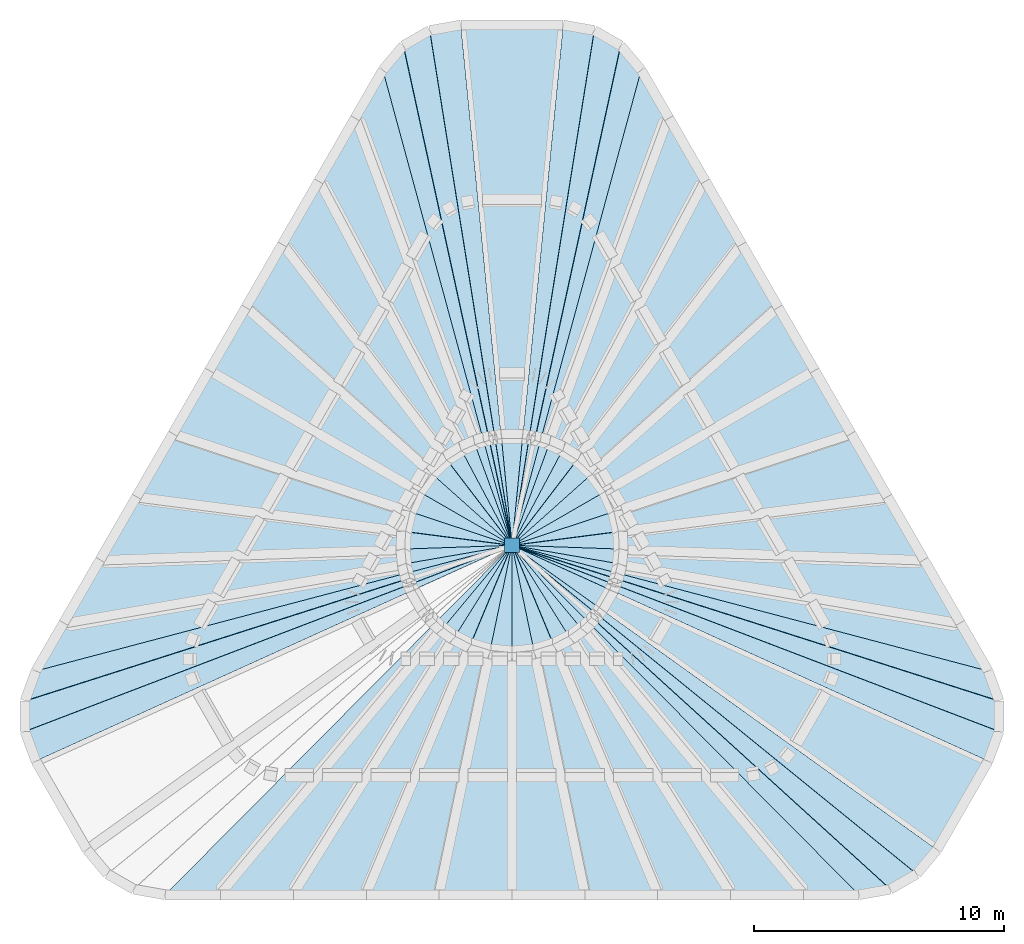
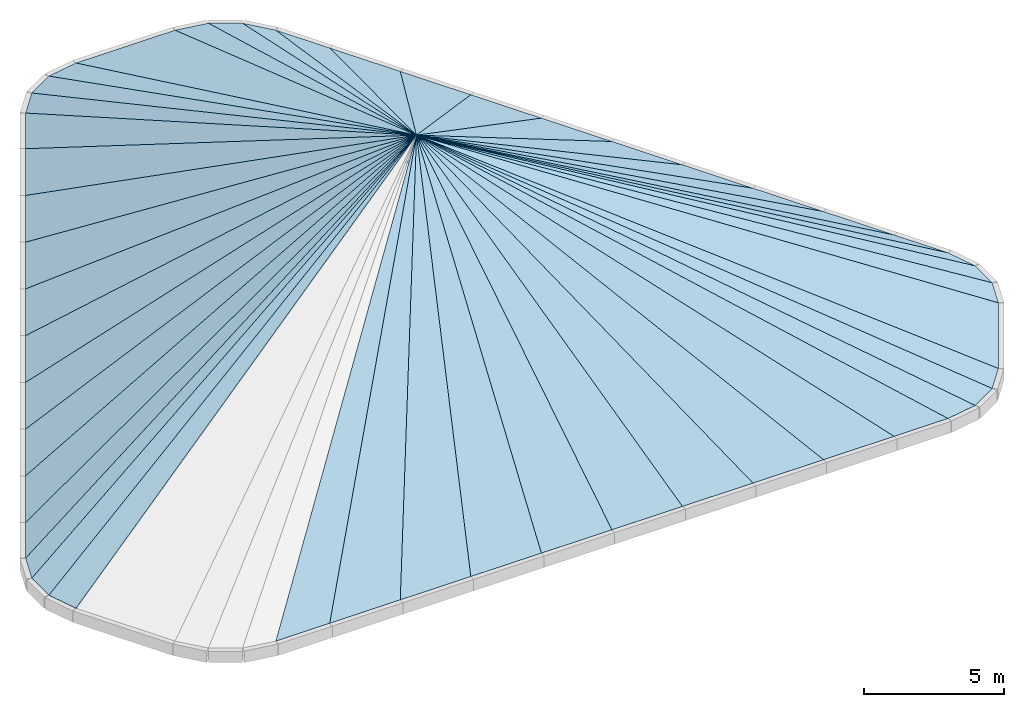
# One storey, part 5 of 5: 47 plates, 1 discrete accessory.
"""IFC4 building model written with IfcOpenShell, lengths in metres."""

import ifcopenshell
import ifcopenshell.guid

model = None  # the IFC model being written
_history = None  # IfcOwnerHistory: only IFC2X3 demands one
_inside = {}  # id of a spatial element -> (the spatial element, [elements in it])
_under = {}  # id of a project, library or spatial element -> (it, [spatial elements below it])
_declared = {}  # id of a project -> (the project, [libraries it declares])
_typed = {}  # id of a type object -> (the type object, [elements of that type])
_made_of = {}  # id of a material, layer set ... -> (it, [elements and type objects made of it])


def new_model(schema):
    """Start an empty IFC model of exactly this schema.

    Asked for "IFC4X3", IfcOpenShell would pick the latest addendum, in which some entities
    have other attributes; the version numbers below select the first issue.
    IFC2X3 requires an IfcOwnerHistory on every rooted entity: one is made here for all.
    """
    global model, _history
    if schema == "IFC4X3":
        model = ifcopenshell.file(schema_version=(4, 3, 0, 0))
    else:
        model = ifcopenshell.file(schema=schema)
    _inside.clear()
    _under.clear()
    _declared.clear()
    _typed.clear()
    _made_of.clear()
    _history = None
    if model.schema == "IFC2X3":
        org = make("IfcOrganization", Name="unknown")
        user = make(
            "IfcPersonAndOrganization",
            ThePerson=make("IfcPerson", FamilyName="unknown"),
            TheOrganization=org,
        )
        app = make(
            "IfcApplication",
            ApplicationDeveloper=org,
            Version="unknown",
            ApplicationFullName="unknown",
            ApplicationIdentifier="unknown",
        )
        _history = make(
            "IfcOwnerHistory",
            OwningUser=user,
            OwningApplication=app,
            ChangeAction="ADDED",
            CreationDate=0,
        )
    return model


def make(cls, **values):
    """One entity of the class cls with the attributes given. An attribute that is None is left unset."""
    return model.create_entity(
        cls, **{name: value for name, value in values.items() if value is not None}
    )


def rooted(cls, **values):
    """An entity with a GlobalId (a new one), such as an element, a storey or a relation."""
    return make(cls, GlobalId=ifcopenshell.guid.new(), OwnerHistory=_history, **values)


def si_unit(unit_type, name, prefix=None):
    """IfcSIUnit, for example si_unit("LENGTHUNIT", "METRE", prefix="MILLI")."""
    return make("IfcSIUnit", UnitType=unit_type, Prefix=prefix, Name=name)


def assignment(units):
    """IfcUnitAssignment: the units of a project."""
    return None if units is None else make("IfcUnitAssignment", Units=units)


def point(xyz):
    """IfcCartesianPoint."""
    return None if xyz is None else make("IfcCartesianPoint", Coordinates=xyz)


def direction(xyz):
    """IfcDirection."""
    return None if xyz is None else make("IfcDirection", DirectionRatios=xyz)


def frame(location, z_axis=None, x_axis=None):
    """IfcAxis2Placement3D, a coordinate frame: its origin and axes. An axis left out is left unset."""
    return make(
        "IfcAxis2Placement3D",
        Location=point(location),
        Axis=direction(z_axis),
        RefDirection=direction(x_axis),
    )


def frame_2d(location, x_axis=None):
    """IfcAxis2Placement2D, a coordinate frame in the plane: its origin and x axis."""
    return make(
        "IfcAxis2Placement2D", Location=point(location), RefDirection=direction(x_axis)
    )


def origin():
    """The frame at (0, 0, 0) with its axes left unset."""
    return frame((0.0, 0.0, 0.0))


def origin_2d():
    """The frame at (0, 0) in the plane with its x axis left unset."""
    return frame_2d((0.0, 0.0))


def place(relative_to, where):
    """IfcLocalPlacement: puts the frame where relative to a parent placement (None: the world)."""
    return make(
        "IfcLocalPlacement", PlacementRelTo=relative_to, RelativePlacement=where
    )


def context(
    kind, dimensions, precision=None, world=None, true_north=None, identifier=None
):
    """IfcGeometricRepresentationContext, for example the 3D "Model" context."""
    return make(
        "IfcGeometricRepresentationContext",
        ContextIdentifier=identifier,
        ContextType=kind,
        CoordinateSpaceDimension=dimensions,
        Precision=precision,
        WorldCoordinateSystem=world,
        TrueNorth=true_north,
    )


def subcontext(parent, identifier, kind, view, scale=None):
    """IfcGeometricRepresentationSubContext, for example "Body" below "Model"."""
    return make(
        "IfcGeometricRepresentationSubContext",
        ContextIdentifier=identifier,
        ContextType=kind,
        ParentContext=parent,
        TargetScale=scale,
        TargetView=view,
    )


def project(units=None, contexts=None):
    """IfcProject with its units and contexts."""
    return rooted(
        "IfcProject",
        Name="project",
        RepresentationContexts=contexts,
        UnitsInContext=assignment(units),
    )


def spatial(cls, under=None, at=None, **own):
    """A site, building, storey or space (cls), placed at a placement, below another one or the project."""
    s = rooted(cls, ObjectPlacement=at, **own)
    if under is not None:
        _under.setdefault(under.id(), (under, []))[1].append(s)
    return s


def polyline(points):
    """IfcPolyline through the points."""
    return make("IfcPolyline", Points=[point(p) for p in points])


def profile(cls, at=None, kind="AREA", **sizes):
    """A parametric profile (cls). Its sizes go by their IFC names, for example OverallWidth=200.0."""
    return make(cls, ProfileType=kind, Position=at, **sizes)


def rectangle(**sizes):
    """IfcRectangleProfileDef."""
    return profile("IfcRectangleProfileDef", **sizes)


def outline(outer, holes=None, kind="AREA"):
    """IfcArbitraryClosedProfileDef: a profile drawn as a closed curve; with holes, ...WithVoids."""
    if holes is None:
        return make("IfcArbitraryClosedProfileDef", ProfileType=kind, OuterCurve=outer)
    return make(
        "IfcArbitraryProfileDefWithVoids",
        ProfileType=kind,
        OuterCurve=outer,
        InnerCurves=holes,
    )


def extrude(swept, where, along, depth):
    """IfcExtrudedAreaSolid: the profile swept, set in the frame where, extruded along a direction by depth."""
    return make(
        "IfcExtrudedAreaSolid",
        SweptArea=swept,
        Position=where,
        ExtrudedDirection=direction(along),
        Depth=depth,
    )


def shape(context_of_items, identifier, shape_type, items):
    """IfcShapeRepresentation: the items that make up one representation, for example the "Body"."""
    return make(
        "IfcShapeRepresentation",
        ContextOfItems=context_of_items,
        RepresentationIdentifier=identifier,
        RepresentationType=shape_type,
        Items=items,
    )


def material(Name=None, Category=None):
    """IfcMaterial."""
    return make("IfcMaterial", Name=Name, Category=Category)


def layer(
    of_material, thickness, ventilated=None, Name=None, Category=None, Priority=None
):
    """IfcMaterialLayer: one layer of a wall or slab, of a material (None: an air gap)."""
    return make(
        "IfcMaterialLayer",
        Material=of_material,
        LayerThickness=thickness,
        IsVentilated=ventilated,
        Name=Name,
        Category=Category,
        Priority=Priority,
    )


def layer_set(layers, Name=None):
    """IfcMaterialLayerSet."""
    return make("IfcMaterialLayerSet", MaterialLayers=layers, LayerSetName=Name)


def made_of(thing, what):
    """Note that an element or type object is made of a material, layer set ...; save() writes the relation."""
    if what is not None:
        _made_of.setdefault(what.id(), (what, []))[1].append(thing)
    return thing


def type_object(cls, material=None, **own):
    """A type object (cls), such as IfcWallType, which elements share."""
    return made_of(rooted(cls, **own), material)


def element(
    cls,
    number,
    at=None,
    inside=None,
    cuts=None,
    type_object=None,
    material=None,
    context=None,
    identifier="Body",
    shape_type=None,
    held_by="IfcProductDefinitionShape",
    body=None,
    shapes=None,
    **own,
):
    """One element of the class cls, such as IfcWall. Its Tag is "e" and its number.

    at: its placement. inside: the storey or other place that contains it. cuts: it is an
    opening in that element (IfcRelVoidsElement). A single representation is given by context,
    identifier, shape_type and body (its items); several are given by shapes. held_by: the class
    of the entity that holds the representations. save() writes the other relations.
    """
    e = rooted(cls, Tag="e%d" % number, ObjectPlacement=at, **own)
    if body is not None:
        shapes = [shape(context, identifier, shape_type, body)]
    if shapes is not None:
        e.Representation = make(held_by, Representations=shapes)
    if inside is not None:
        _inside.setdefault(inside.id(), (inside, []))[1].append(e)
    if cuts is not None:
        rooted(
            "IfcRelVoidsElement", RelatingBuildingElement=cuts, RelatedOpeningElement=e
        )
    if type_object is not None:
        _typed.setdefault(type_object.id(), (type_object, []))[1].append(e)
    return made_of(e, material)


def aggregate(whole, parts):
    """IfcRelAggregates: a whole, such as a stair, and the parts it consists of."""
    return rooted("IfcRelAggregates", RelatingObject=whole, RelatedObjects=parts)


def save(model, path):
    """Write the relations noted so far, then the file.

    IfcRelAggregates (storeys below a building ...), IfcRelContainedInSpatialStructure (elements
    in a storey), IfcRelDefinesByType, IfcRelAssociatesMaterial and IfcRelDeclares: one each for
    every whole, place, type object, material and project.
    """
    for whole, parts in _under.values():
        aggregate(whole, parts)
    for where, things in _inside.values():
        rooted(
            "IfcRelContainedInSpatialStructure",
            RelatedElements=things,
            RelatingStructure=where,
        )
    for kind, things in _typed.values():
        rooted("IfcRelDefinesByType", RelatedObjects=things, RelatingType=kind)
    for what, things in _made_of.values():
        rooted("IfcRelAssociatesMaterial", RelatedObjects=things, RelatingMaterial=what)
    for by, libraries in _declared.values():
        rooted("IfcRelDeclares", RelatingContext=by, RelatedDefinitions=libraries)
    model.write(path)


model = new_model("IFC4")

# Units and contexts
model_context = context("Model", 3, precision=1e-05, world=origin(), true_north=direction((0.0, 1.0)))
body_context = subcontext(model_context, "Body", "Model", "MODEL_VIEW")
ifc_project = project(units=[si_unit("LENGTHUNIT", "METRE"), si_unit("AREAUNIT", "SQUARE_METRE"), si_unit("VOLUMEUNIT", "CUBIC_METRE"), si_unit("PLANEANGLEUNIT", "RADIAN"), si_unit("MASSUNIT", "GRAM", prefix="KILO")], contexts=[model_context])

# Site, building, storey
site_placement = place(None, origin())
site = spatial("IfcSite", under=ifc_project, at=site_placement, CompositionType="ELEMENT")
building_placement = place(site_placement, origin())
building = spatial("IfcBuilding", under=site, at=building_placement, Name="Apuvela Tower Hotel", CompositionType="ELEMENT")
storey_placement = place(building_placement, frame((0.0, 0.0, 371.300048828125)))
storey = spatial("IfcBuildingStorey", under=building, at=storey_placement, Name="R-7 ROOF", CompositionType="ELEMENT", Elevation=371.300048828125)

# Plates
ifc_material_1 = material(Name="Glass, low-iron laminated insulated glazing unit, ceramic fritted", Category="glass")
ifc_layer_1 = layer(ifc_material_1, 0.050048828125)
ifc_layer_set_1 = layer_set([ifc_layer_1], Name="ENV-ROOF-GLAZING-50")
plate_type = type_object("IfcPlateType", Name="ENV-ROOF-GLAZING-50", PredefinedType="SHEET", material=ifc_layer_set_1)
plate_1_placement = place(storey_placement, frame((4.3505859375, 19.976318359375, 0.25), z_axis=(0.204939126535, 0.35491059303, 0.912161403135), x_axis=(-0.865992225662, 0.50005746179, 0.0)))
element("IfcPlate", 1, at=plate_1_placement, inside=storey, type_object=plate_type, Name="Crown roof glazing 1", PredefinedType="SHEET", context=body_context, shape_type="SweptSolid", body=[
    extrude(outline(polyline([(0.0, 0.0), (1.219586403263678, 5.551115123125783e-17), (-6.221733455752627, 21.350255876692533), (0.0, 0.0)])), origin(), (0.0, 0.0, -1.0), 0.050048828125),
])
plate_2_placement = place(storey_placement, frame((3.29443359375, 20.586181640625, 0.25), z_axis=(0.067202405135, 0.381161313384, 0.922062844888), x_axis=(-0.984810677158, 0.173631593197, 0.0)))
element("IfcPlate", 2, at=plate_2_placement, inside=storey, type_object=plate_type, Name="Crown roof glazing 2", PredefinedType="SHEET", context=body_context, shape_type="SweptSolid", body=[
    extrude(outline(polyline([(0.0, 0.0), (1.2682878714361947, 0.0), (-0.3300181377941267, 22.60747122685687), (0.0, 0.0)])), origin(), (0.0, 0.0, -1.0), 0.050048828125),
])
plate_3_placement = place(storey_placement, frame((2.04541015625, 20.806396484375, 0.25), z_axis=(0.0, 0.387658514364, 0.921803057188), x_axis=(-1.0, 0.0, 0.0)))
element("IfcPlate", 3, at=plate_3_placement, inside=storey, type_object=plate_type, Name="Crown roof glazing 3", PredefinedType="SHEET", context=body_context, shape_type="SweptSolid", body=[
    extrude(outline(polyline([(0.0, 0.0), (4.0908203125, 0.0), (2.04541015625, 22.571411889047), (0.0, 0.0)])), origin(), (0.0, 0.0, -1.0), 0.050048828125),
])
plate_4_placement = place(storey_placement, frame((-2.04541015625, 20.806396484375, 0.25), z_axis=(-0.067202405135, 0.381161313384, 0.922062844888), x_axis=(-0.984810677158, -0.173631593197, 0.0)))
element("IfcPlate", 4, at=plate_4_placement, inside=storey, type_object=plate_type, Name="Crown roof glazing 4", PredefinedType="SHEET", context=body_context, shape_type="SweptSolid", body=[
    extrude(outline(polyline([(0.0, 0.0), (1.2682878714361947, 0.0), (1.598306009230321, 22.60747122685687), (0.0, 0.0)])), origin(), (0.0, 0.0, -1.0), 0.050048828125),
])
plate_5_placement = place(storey_placement, frame((-3.29443359375, 20.586181640625, 0.25), z_axis=(-0.204939126535, 0.35491059303, 0.912161403135), x_axis=(-0.865992225662, -0.50005746179, 0.0)))
element("IfcPlate", 5, at=plate_5_placement, inside=storey, type_object=plate_type, Name="Crown roof glazing 5", PredefinedType="SHEET", context=body_context, shape_type="SweptSolid", body=[
    extrude(outline(polyline([(0.0, 0.0), (1.219586403263678, -5.551115123125783e-17), (7.441319859016305, 21.350255876692533), (0.0, 0.0)])), origin(), (0.0, 0.0, -1.0), 0.050048828125),
])
plate_6_placement = place(storey_placement, frame((-4.3505859375, 19.976318359375, 0.25), z_axis=(-0.364485480594, 0.305874750046, 0.879540204721), x_axis=(-0.642830918567, -0.766008100567, 0.0)))
element("IfcPlate", 6, at=plate_6_placement, inside=storey, type_object=plate_type, Name="Crown roof glazing 6", PredefinedType="SHEET", context=body_context, shape_type="SweptSolid", body=[
    extrude(outline(polyline([(0.0, 0.0), (1.2684979268238656, 0.0), (12.505330528287974, 18.389129984122256), (0.0, 0.0)])), origin(), (0.0, 0.0, -1.0), 0.050048828125),
])
plate_7_placement = place(storey_placement, frame((-5.166015625, 19.004638671875, 0.25), z_axis=(-0.459594118979, 0.265305059935, 0.847576823051), x_axis=(-0.499941024108, -0.866059450854, 0.0)))
element("IfcPlate", 7, at=plate_7_placement, inside=storey, type_object=plate_type, Name="Crown roof glazing 7", PredefinedType="SHEET", context=body_context, shape_type="SweptSolid", body=[
    extrude(outline(polyline([(0.0, 0.0), (2.223895124896597, 0.0), (13.8764437897228, 16.488505579249278), (0.0, 0.0)])), origin(), (0.0, 0.0, -1.0), 0.050048828125),
])
plate_8_placement = place(storey_placement, frame((-6.27783203125, 17.07861328125, 0.25), z_axis=(-0.459547902944, 0.265330764441, 0.847593835714), x_axis=(-0.500015065024, -0.866016705814, 0.0)))
element("IfcPlate", 8, at=plate_8_placement, inside=storey, type_object=plate_type, Name="Crown roof glazing 8", PredefinedType="SHEET", context=body_context, shape_type="SweptSolid", body=[
    extrude(outline(polyline([(0.0, 0.0), (2.9129981687280075, -2.220446049250313e-16), (11.651353822392604, 16.489349918310747), (0.0, 0.0)])), origin(), (0.0, 0.0, -1.0), 0.050048828125),
])
plate_9_placement = place(storey_placement, frame((-7.734375, 14.555908203125, 0.25), z_axis=(-0.459528132382, 0.265345028822, 0.84760008921), x_axis=(-0.500051359076, -0.865995749577, 0.0)))
element("IfcPlate", 9, at=plate_9_placement, inside=storey, type_object=plate_type, Name="Crown roof glazing 9", PredefinedType="SHEET", context=body_context, shape_type="SweptSolid", body=[
    extrude(outline(polyline([(0.0, 0.0), (2.9127867414262316, -2.220446049250313e-16), (8.737769904785672, 16.489660316375485), (0.0, 0.0)])), origin(), (0.0, 0.0, -1.0), 0.050048828125),
])
plate_10_placement = place(storey_placement, frame((-9.19091796875, 12.033447265625, 0.25), z_axis=(-0.459574266729, 0.265301509826, 0.847588698747), x_axis=(-0.499952204256, -0.866052996912, 0.0)))
element("IfcPlate", 10, at=plate_10_placement, inside=storey, type_object=plate_type, Name="Crown roof glazing 10", PredefinedType="SHEET", context=body_context, shape_type="SweptSolid", body=[
    extrude(outline(polyline([(0.0, 0.0), (2.912876102410796, 2.220446049250313e-16), (5.826583369959075, 16.48909495502363), (0.0, 0.0)])), origin(), (0.0, 0.0, -1.0), 0.050048828125),
])
plate_11_placement = place(storey_placement, frame((-10.647216796875, 9.5107421875, 0.25), z_axis=(-0.459550013709, 0.26533198314, 0.847592309795), x_axis=(-0.500015065024, -0.866016705814, 0.0)))
element("IfcPlate", 11, at=plate_11_placement, inside=storey, type_object=plate_type, Name="Crown roof glazing 11", PredefinedType="SHEET", context=body_context, shape_type="SweptSolid", body=[
    extrude(outline(polyline([(0.0, 0.0), (2.9129981687280075, -2.220446049250313e-16), (2.912692820058884, 16.489274180894895), (0.0, 0.0)])), origin(), (0.0, 0.0, -1.0), 0.050048828125),
])
plate_12_placement = place(storey_placement, frame((-12.103759765625, 6.988037109375, 0.25), z_axis=(-0.459550013709, 0.26533198314, 0.847592309795), x_axis=(-0.500015065024, -0.866016705814, 0.0)))
element("IfcPlate", 12, at=plate_12_placement, inside=storey, type_object=plate_type, Name="Crown roof glazing 12", PredefinedType="SHEET", context=body_context, shape_type="SweptSolid", body=[
    extrude(outline(polyline([(0.0, 0.0), (2.9129981687280075, -2.220446049250313e-16), (-0.0003053486691233833, 16.489274180894895), (0.0, 0.0)])), origin(), (0.0, 0.0, -1.0), 0.050048828125),
])
plate_13_placement = place(storey_placement, frame((-13.560302734375, 4.46533203125, 0.25), z_axis=(-0.459556042342, 0.265316665947, 0.847593835937), x_axis=(-0.499988496788, -0.866032045065, 0.0)))
element("IfcPlate", 13, at=plate_13_placement, inside=storey, type_object=plate_type, Name="Crown roof glazing 13", PredefinedType="SHEET", context=body_context, shape_type="SweptSolid", body=[
    extrude(outline(polyline([(0.0, 0.0), (2.912664666248353, -2.220446049250313e-16), (-2.912874749231936, 16.489349929348105), (0.0, 0.0)])), origin(), (0.0, 0.0, -1.0), 0.050048828125),
])
plate_14_placement = place(storey_placement, frame((-15.0166015625, 1.94287109375, 0.25), z_axis=(-0.459552124488, 0.265333201848, 0.847590783854), x_axis=(-0.500015065024, -0.866016705814, 0.0)))
element("IfcPlate", 14, at=plate_14_placement, inside=storey, type_object=plate_type, Name="Crown roof glazing 14", PredefinedType="SHEET", context=body_context, shape_type="SweptSolid", body=[
    extrude(outline(polyline([(0.0, 0.0), (2.9129981687280075, -2.220446049250313e-16), (-5.8259681822748375, 16.489198443615386), (0.0, 0.0)])), origin(), (0.0, 0.0, -1.0), 0.050048828125),
])
plate_15_placement = place(storey_placement, frame((-16.47314453125, -0.579833984375, 0.25), z_axis=(-0.459556399075, 0.265291195247, 0.847601615025), x_axis=(-0.499952204256, -0.866052996912, 0.0)))
element("IfcPlate", 15, at=plate_15_placement, inside=storey, type_object=plate_type, Name="Crown roof glazing 15", PredefinedType="SHEET", context=body_context, shape_type="SweptSolid", body=[
    extrude(outline(polyline([(0.0, 0.0), (2.912876102410796, 0.0), (-8.737951879305808, 16.489736054643934), (0.0, 0.0)])), origin(), (0.0, 0.0, -1.0), 0.050048828125),
])
plate_16_placement = place(storey_placement, frame((-17.929443359375, -3.1025390625, 0.25), z_axis=(-0.459557213903, 0.265342009042, 0.847585267325), x_axis=(-0.500023359282, -0.866011916877, 0.0)))
element("IfcPlate", 16, at=plate_16_placement, inside=storey, type_object=plate_type, Name="Crown roof glazing 16", PredefinedType="SHEET", context=body_context, shape_type="SweptSolid", body=[
    extrude(outline(polyline([(0.0, 0.0), (2.224017190861642, -1.1102230246251565e-16), (-11.651976299307272, 16.48892465055731), (0.0, 0.0)])), origin(), (0.0, 0.0, -1.0), 0.050048828125),
])
plate_17_placement = place(storey_placement, frame((-19.04150390625, -5.028564453125, 0.25), z_axis=(-0.447144940369, 0.162756361949, 0.879529288283), x_axis=(-0.34203668354, -0.939686600475, 0.0)))
element("IfcPlate", 17, at=plate_17_placement, inside=storey, type_object=plate_type, Name="Crown roof glazing 17", PredefinedType="SHEET", context=body_context, shape_type="SweptSolid", body=[
    extrude(outline(polyline([(0.0, 0.0), (1.2683957934988617, -5.551115123125783e-17), (-11.23816748194366, 18.388350201112402), (0.0, 0.0)])), origin(), (0.0, 0.0, -1.0), 0.050048828125),
])
plate_18_placement = place(storey_placement, frame((-19.475341796875, -6.220458984375, 0.25), z_axis=(-0.409823056876, 0.0, 0.912165041017), x_axis=(0.0, -1.0, 0.0)))
element("IfcPlate", 18, at=plate_18_placement, inside=storey, type_object=plate_type, Name="Crown roof glazing 18", PredefinedType="SHEET", context=body_context, shape_type="SweptSolid", body=[
    extrude(outline(polyline([(0.0, 0.0), (1.219482421875, 0.0), (-6.220458984375, 21.350677696623734), (0.0, 0.0)])), origin(), (0.0, 0.0, -1.0), 0.050048828125),
])
plate_19_placement = place(storey_placement, frame((-19.475341796875, -7.43994140625, 0.25), z_axis=(-0.363697351708, -0.132382260136, 0.922062456432), x_axis=(0.34203668354, -0.939686600475, 0.0)))
element("IfcPlate", 19, at=plate_19_placement, inside=storey, type_object=plate_type, Name="Crown roof glazing 19", PredefinedType="SHEET", context=body_context, shape_type="SweptSolid", body=[
    extrude(outline(polyline([(0.0, 0.0), (1.2683957934988617, 0.0), (-0.32993192875409694, 22.607417171272093), (0.0, 0.0)])), origin(), (0.0, 0.0, -1.0), 0.050048828125),
])
plate_20_placement = place(storey_placement, frame((-13.87548828125, -13.976318359375, 0.25), z_axis=(0.0, -0.53064425814, 0.847594638553), x_axis=(1.0, 0.0, 0.0)))
element("IfcPlate", 20, at=plate_20_placement, inside=storey, type_object=plate_type, Name="Crown roof glazing 24", PredefinedType="SHEET", context=body_context, shape_type="SweptSolid", body=[
    extrude(outline(polyline([(0.0, 0.0), (2.223876953125, 0.0), (13.87548828125, 16.489389766834996), (0.0, 0.0)])), origin(), (0.0, 0.0, -1.0), 0.050048828125),
])
plate_21_placement = place(storey_placement, frame((-11.651611328125, -13.976318359375, 0.25), z_axis=(0.0, -0.53064425814, 0.847594638553), x_axis=(1.0, 0.0, 0.0)))
element("IfcPlate", 21, at=plate_21_placement, inside=storey, type_object=plate_type, Name="Crown roof glazing 25", PredefinedType="SHEET", context=body_context, shape_type="SweptSolid", body=[
    extrude(outline(polyline([(0.0, 0.0), (2.912841796875, 0.0), (11.651611328125, 16.489389766835), (0.0, 0.0)])), origin(), (0.0, 0.0, -1.0), 0.050048828125),
])
plate_22_placement = place(storey_placement, frame((-8.73876953125, -13.976318359375, 0.25), z_axis=(0.0, -0.53064425814, 0.847594638553), x_axis=(1.0, 0.0, 0.0)))
element("IfcPlate", 22, at=plate_22_placement, inside=storey, type_object=plate_type, Name="Crown roof glazing 26", PredefinedType="SHEET", context=body_context, shape_type="SweptSolid", body=[
    extrude(outline(polyline([(0.0, 0.0), (2.9130859375, 0.0), (8.73876953125, 16.489389766834996), (0.0, 0.0)])), origin(), (0.0, 0.0, -1.0), 0.050048828125),
])
plate_23_placement = place(storey_placement, frame((-5.82568359375, -13.976318359375, 0.25), z_axis=(0.0, -0.53064425814, 0.847594638553), x_axis=(1.0, 0.0, 0.0)))
element("IfcPlate", 23, at=plate_23_placement, inside=storey, type_object=plate_type, Name="Crown roof glazing 27", PredefinedType="SHEET", context=body_context, shape_type="SweptSolid", body=[
    extrude(outline(polyline([(0.0, 0.0), (2.912841796875, 0.0), (5.82568359375, 16.489389766835), (0.0, 0.0)])), origin(), (0.0, 0.0, -1.0), 0.050048828125),
])
plate_24_placement = place(storey_placement, frame((-2.912841796875, -13.976318359375, 0.25), z_axis=(0.0, -0.53064425814, 0.847594638553), x_axis=(1.0, 0.0, 0.0)))
element("IfcPlate", 24, at=plate_24_placement, inside=storey, type_object=plate_type, Name="Crown roof glazing 28", PredefinedType="SHEET", context=body_context, shape_type="SweptSolid", body=[
    extrude(outline(polyline([(0.0, 0.0), (2.912841796875, 0.0), (2.912841796875, 16.489389766835), (0.0, 0.0)])), origin(), (0.0, 0.0, -1.0), 0.050048828125),
])
plate_25_placement = place(storey_placement, frame((0.0, -13.976318359375, 0.25), z_axis=(0.0, -0.53064425814, 0.847594638553), x_axis=(1.0, 0.0, 0.0)))
element("IfcPlate", 25, at=plate_25_placement, inside=storey, type_object=plate_type, Name="Crown roof glazing 29", PredefinedType="SHEET", context=body_context, shape_type="SweptSolid", body=[
    extrude(outline(polyline([(0.0, 0.0), (2.912841796875, 0.0), (0.0, 16.489389766835), (0.0, 0.0)])), origin(), (0.0, 0.0, -1.0), 0.050048828125),
])
plate_26_placement = place(storey_placement, frame((2.912841796875, -13.976318359375, 0.25), z_axis=(0.0, -0.53064425814, 0.847594638553), x_axis=(1.0, 0.0, 0.0)))
element("IfcPlate", 26, at=plate_26_placement, inside=storey, type_object=plate_type, Name="Crown roof glazing 30", PredefinedType="SHEET", context=body_context, shape_type="SweptSolid", body=[
    extrude(outline(polyline([(0.0, 0.0), (2.912841796875, 0.0), (-2.912841796875, 16.489389766835), (0.0, 0.0)])), origin(), (0.0, 0.0, -1.0), 0.050048828125),
])
plate_27_placement = place(storey_placement, frame((5.82568359375, -13.976318359375, 0.25), z_axis=(0.0, -0.53064425814, 0.847594638553), x_axis=(1.0, 0.0, 0.0)))
element("IfcPlate", 27, at=plate_27_placement, inside=storey, type_object=plate_type, Name="Crown roof glazing 31", PredefinedType="SHEET", context=body_context, shape_type="SweptSolid", body=[
    extrude(outline(polyline([(0.0, 0.0), (2.9130859375, 0.0), (-5.82568359375, 16.489389766834996), (0.0, 0.0)])), origin(), (0.0, 0.0, -1.0), 0.050048828125),
])
plate_28_placement = place(storey_placement, frame((8.73876953125, -13.976318359375, 0.25), z_axis=(0.0, -0.53064425814, 0.847594638553), x_axis=(1.0, 0.0, 0.0)))
element("IfcPlate", 28, at=plate_28_placement, inside=storey, type_object=plate_type, Name="Crown roof glazing 32", PredefinedType="SHEET", context=body_context, shape_type="SweptSolid", body=[
    extrude(outline(polyline([(0.0, 0.0), (2.912841796875, 0.0), (-8.73876953125, 16.489389766835), (0.0, 0.0)])), origin(), (0.0, 0.0, -1.0), 0.050048828125),
])
plate_29_placement = place(storey_placement, frame((11.651611328125, -13.976318359375, 0.25), z_axis=(0.0, -0.53064425814, 0.847594638553), x_axis=(1.0, 0.0, 0.0)))
element("IfcPlate", 29, at=plate_29_placement, inside=storey, type_object=plate_type, Name="Crown roof glazing 33", PredefinedType="SHEET", context=body_context, shape_type="SweptSolid", body=[
    extrude(outline(polyline([(0.0, 0.0), (2.223876953125, 0.0), (-11.651611328125, 16.489389766834996), (0.0, 0.0)])), origin(), (0.0, 0.0, -1.0), 0.050048828125),
])
plate_30_placement = place(storey_placement, frame((13.87548828125, -13.976318359375, 0.25), z_axis=(0.082687276301, -0.468561232373, 0.879552832896), x_axis=(0.984783558818, 0.173785333909, 0.0)))
element("IfcPlate", 30, at=plate_30_placement, inside=storey, type_object=plate_type, Name="Crown roof glazing 34", PredefinedType="SHEET", context=body_context, shape_type="SweptSolid", body=[
    extrude(outline(polyline([(0.0, 0.0), (1.2685707097146615, -2.7755575615628914e-17), (-11.235473577042816, 18.390032175754385), (0.0, 0.0)])), origin(), (0.0, 0.0, -1.0), 0.050048828125),
])
plate_31_placement = place(storey_placement, frame((15.124755859375, -13.755859375, 0.25), z_axis=(0.204879723323, -0.354949813014, 0.91215948672), x_axis=(0.866078909804, 0.499907313403, 0.0)))
element("IfcPlate", 31, at=plate_31_placement, inside=storey, type_object=plate_type, Name="Crown roof glazing 35", PredefinedType="SHEET", context=body_context, shape_type="SweptSolid", body=[
    extrude(outline(polyline([(0.0, 0.0), (1.2194643372501641, 5.551115123125783e-17), (-6.222577362033127, 21.35003367500826), (0.0, 0.0)])), origin(), (0.0, 0.0, -1.0), 0.050048828125),
])
plate_32_placement = place(storey_placement, frame((16.180908203125, -13.146240234375, 0.25), z_axis=(0.29651192861, -0.248757117997, 0.92206321499), x_axis=(0.642717965607, 0.766102876046, 0.0)))
element("IfcPlate", 32, at=plate_32_placement, inside=storey, type_object=plate_type, Name="Crown roof glazing 36", PredefinedType="SHEET", context=body_context, shape_type="SweptSolid", body=[
    extrude(outline(polyline([(0.0, 0.0), (1.2683409994689878, 0.0), (-0.32838794924675296, 22.607522728787593), (0.0, 0.0)])), origin(), (0.0, 0.0, -1.0), 0.050048828125),
])
plate_33_placement = place(storey_placement, frame((16.99609375, -12.174560546875, 0.25), z_axis=(0.33572223807, -0.193830949662, 0.921802658826), x_axis=(0.500003144135, 0.86602358851, 0.0)))
element("IfcPlate", 33, at=plate_33_placement, inside=storey, type_object=plate_type, Name="Crown roof glazing 37", PredefinedType="SHEET", context=body_context, shape_type="SweptSolid", body=[
    extrude(outline(polyline([(0.0, 0.0), (4.090794588483012, 0.0), (2.0453563003307984, 22.57135673531858), (0.0, 0.0)])), origin(), (0.0, 0.0, -1.0), 0.050048828125),
])
plate_34_placement = place(storey_placement, frame((19.04150390625, -8.6318359375, 0.25), z_axis=(0.363697351708, -0.132382260136, 0.922062456432), x_axis=(0.34203668354, 0.939686600475, 0.0)))
element("IfcPlate", 34, at=plate_34_placement, inside=storey, type_object=plate_type, Name="Crown roof glazing 38", PredefinedType="SHEET", context=body_context, shape_type="SweptSolid", body=[
    extrude(outline(polyline([(0.0, 0.0), (1.2683957934988617, 0.0), (1.5983277222529582, 22.60741717127209), (0.0, 0.0)])), origin(), (0.0, 0.0, -1.0), 0.050048828125),
])
plate_35_placement = place(storey_placement, frame((19.475341796875, -7.43994140625, 0.25), z_axis=(0.409823056876, 0.0, 0.912165041017), x_axis=(0.0, 1.0, 0.0)))
element("IfcPlate", 35, at=plate_35_placement, inside=storey, type_object=plate_type, Name="Crown roof glazing 39", PredefinedType="SHEET", context=body_context, shape_type="SweptSolid", body=[
    extrude(outline(polyline([(0.0, 0.0), (1.219482421875, 0.0), (7.43994140625, 21.350677696623734), (0.0, 0.0)])), origin(), (0.0, 0.0, -1.0), 0.050048828125),
])
plate_36_placement = place(storey_placement, frame((19.475341796875, -6.220458984375, 0.25), z_axis=(0.447144940369, 0.162756361949, 0.879529288283), x_axis=(-0.34203668354, 0.939686600475, 0.0)))
element("IfcPlate", 36, at=plate_36_placement, inside=storey, type_object=plate_type, Name="Crown roof glazing 40", PredefinedType="SHEET", context=body_context, shape_type="SweptSolid", body=[
    extrude(outline(polyline([(0.0, 0.0), (1.2683957934988617, 5.551115123125783e-17), (12.506563275442522, 18.388350201112402), (0.0, 0.0)])), origin(), (0.0, 0.0, -1.0), 0.050048828125),
])
plate_37_placement = place(storey_placement, frame((19.04150390625, -5.028564453125, 0.25), z_axis=(0.459557213903, 0.265342009042, 0.847585267325), x_axis=(-0.500023359282, 0.866011916877, 0.0)))
element("IfcPlate", 37, at=plate_37_placement, inside=storey, type_object=plate_type, Name="Crown roof glazing 41", PredefinedType="SHEET", context=body_context, shape_type="SweptSolid", body=[
    extrude(outline(polyline([(0.0, 0.0), (2.224017190861642, 1.1102230246251565e-16), (13.875993490168913, 16.48892465055731), (0.0, 0.0)])), origin(), (0.0, 0.0, -1.0), 0.050048828125),
])
plate_38_placement = place(storey_placement, frame((17.929443359375, -3.1025390625, 0.25), z_axis=(0.459556399075, 0.265291195247, 0.847601615025), x_axis=(-0.499952204256, 0.866052996912, 0.0)))
element("IfcPlate", 38, at=plate_38_placement, inside=storey, type_object=plate_type, Name="Crown roof glazing 42", PredefinedType="SHEET", context=body_context, shape_type="SweptSolid", body=[
    extrude(outline(polyline([(0.0, 0.0), (2.912876102410796, 0.0), (11.650827981716603, 16.48973605464393), (0.0, 0.0)])), origin(), (0.0, 0.0, -1.0), 0.050048828125),
])
plate_39_placement = place(storey_placement, frame((16.47314453125, -0.579833984375, 0.25), z_axis=(0.459552124488, 0.265333201848, 0.847590783854), x_axis=(-0.500015065024, 0.866016705814, 0.0)))
element("IfcPlate", 39, at=plate_39_placement, inside=storey, type_object=plate_type, Name="Crown roof glazing 43", PredefinedType="SHEET", context=body_context, shape_type="SweptSolid", body=[
    extrude(outline(polyline([(0.0, 0.0), (2.9129981687280075, 2.220446049250313e-16), (8.738966351002846, 16.489198443615386), (0.0, 0.0)])), origin(), (0.0, 0.0, -1.0), 0.050048828125),
])
plate_40_placement = place(storey_placement, frame((15.0166015625, 1.94287109375, 0.25), z_axis=(0.459556042342, 0.265316665947, 0.847593835937), x_axis=(-0.499988496788, 0.866032045065, 0.0)))
element("IfcPlate", 40, at=plate_40_placement, inside=storey, type_object=plate_type, Name="Crown roof glazing 44", PredefinedType="SHEET", context=body_context, shape_type="SweptSolid", body=[
    extrude(outline(polyline([(0.0, 0.0), (2.912664666248353, 2.220446049250313e-16), (5.825539415480289, 16.489349929348105), (0.0, 0.0)])), origin(), (0.0, 0.0, -1.0), 0.050048828125),
])
plate_41_placement = place(storey_placement, frame((13.560302734375, 4.46533203125, 0.25), z_axis=(0.459550013709, 0.26533198314, 0.847592309795), x_axis=(-0.500015065024, 0.866016705814, 0.0)))
element("IfcPlate", 41, at=plate_41_placement, inside=storey, type_object=plate_type, Name="Crown roof glazing 45", PredefinedType="SHEET", context=body_context, shape_type="SweptSolid", body=[
    extrude(outline(polyline([(0.0, 0.0), (2.9129981687280075, 2.220446049250313e-16), (2.913303517397131, 16.489274180894895), (0.0, 0.0)])), origin(), (0.0, 0.0, -1.0), 0.050048828125),
])
plate_42_placement = place(storey_placement, frame((12.103759765625, 6.988037109375, 0.25), z_axis=(0.459550013709, 0.26533198314, 0.847592309795), x_axis=(-0.500015065024, 0.866016705814, 0.0)))
element("IfcPlate", 42, at=plate_42_placement, inside=storey, type_object=plate_type, Name="Crown roof glazing 46", PredefinedType="SHEET", context=body_context, shape_type="SweptSolid", body=[
    extrude(outline(polyline([(0.0, 0.0), (2.9129981687280075, 2.220446049250313e-16), (0.0003053486691233833, 16.489274180894895), (0.0, 0.0)])), origin(), (0.0, 0.0, -1.0), 0.050048828125),
])
plate_43_placement = place(storey_placement, frame((10.647216796875, 9.5107421875, 0.25), z_axis=(0.459574266729, 0.265301509826, 0.847588698747), x_axis=(-0.499952204256, 0.866052996912, 0.0)))
element("IfcPlate", 43, at=plate_43_placement, inside=storey, type_object=plate_type, Name="Crown roof glazing 47", PredefinedType="SHEET", context=body_context, shape_type="SweptSolid", body=[
    extrude(outline(polyline([(0.0, 0.0), (2.912876102410796, -2.220446049250313e-16), (-2.91370726754828, 16.48909495502363), (0.0, 0.0)])), origin(), (0.0, 0.0, -1.0), 0.050048828125),
])
plate_44_placement = place(storey_placement, frame((9.19091796875, 12.033447265625, 0.25), z_axis=(0.459528132382, 0.265345028822, 0.84760008921), x_axis=(-0.500051359076, 0.865995749577, 0.0)))
element("IfcPlate", 44, at=plate_44_placement, inside=storey, type_object=plate_type, Name="Crown roof glazing 48", PredefinedType="SHEET", context=body_context, shape_type="SweptSolid", body=[
    extrude(outline(polyline([(0.0, 0.0), (2.9127867414262316, 2.220446049250313e-16), (-5.824983163359441, 16.48966031637549), (0.0, 0.0)])), origin(), (0.0, 0.0, -1.0), 0.050048828125),
])
plate_45_placement = place(storey_placement, frame((7.734375, 14.555908203125, 0.25), z_axis=(0.459547902944, 0.265330764441, 0.847593835714), x_axis=(-0.500015065024, 0.866016705814, 0.0)))
element("IfcPlate", 45, at=plate_45_placement, inside=storey, type_object=plate_type, Name="Crown roof glazing 49", PredefinedType="SHEET", context=body_context, shape_type="SweptSolid", body=[
    extrude(outline(polyline([(0.0, 0.0), (2.9129981687280075, 2.220446049250313e-16), (-8.738355653664597, 16.48934991831075), (0.0, 0.0)])), origin(), (0.0, 0.0, -1.0), 0.050048828125),
])
plate_46_placement = place(storey_placement, frame((6.27783203125, 17.07861328125, 0.25), z_axis=(0.459594118979, 0.265305059935, 0.847576823051), x_axis=(-0.499941024108, 0.866059450854, 0.0)))
element("IfcPlate", 46, at=plate_46_placement, inside=storey, type_object=plate_type, Name="Crown roof glazing 50", PredefinedType="SHEET", context=body_context, shape_type="SweptSolid", body=[
    extrude(outline(polyline([(0.0, 0.0), (2.223895124896597, 0.0), (-11.6525486648262, 16.488505579249278), (0.0, 0.0)])), origin(), (0.0, 0.0, -1.0), 0.050048828125),
])
plate_47_placement = place(storey_placement, frame((5.166015625, 19.004638671875, 0.25), z_axis=(0.364485480594, 0.305874750046, 0.879540204721), x_axis=(-0.642830918567, 0.766008100567, 0.0)))
element("IfcPlate", 47, at=plate_47_placement, inside=storey, type_object=plate_type, Name="Crown roof glazing 51", PredefinedType="SHEET", context=body_context, shape_type="SweptSolid", body=[
    extrude(outline(polyline([(0.0, 0.0), (1.2684979268238656, 0.0), (-11.236832601464108, 18.389129984122256), (0.0, 0.0)])), origin(), (0.0, 0.0, -1.0), 0.050048828125),
])

# Discrete accessory
ifc_material_2 = material(Name="Steel S355", Category="steel")
ifc_layer_2 = layer(ifc_material_2, 0.02001953125)
ifc_layer_set_2 = layer_set([ifc_layer_2], Name="STR-EP end plate 20")
discrete_accessory_type = type_object("IfcDiscreteAccessoryType", Name="STR-EP end plate 20", PredefinedType="BRACKET", material=ifc_layer_set_2)
discrete_accessory_placement = place(storey_placement, frame((0.0, 0.0, 7.760009765625), z_axis=(0.0, 0.0, 1.0), x_axis=(1.0, 0.0, 0.0)))
element("IfcDiscreteAccessory", 48, at=discrete_accessory_placement, inside=storey, type_object=discrete_accessory_type, Name="End plate EP crown apex node bottom", PredefinedType="BRACKET", context=body_context, shape_type="SweptSolid", body=[
    extrude(rectangle(XDim=0.580078125, YDim=0.580078125, at=origin_2d()), origin(), (0.0, 0.0, 1.0), 0.02001953125),
])

save(model, "model.ifc")
